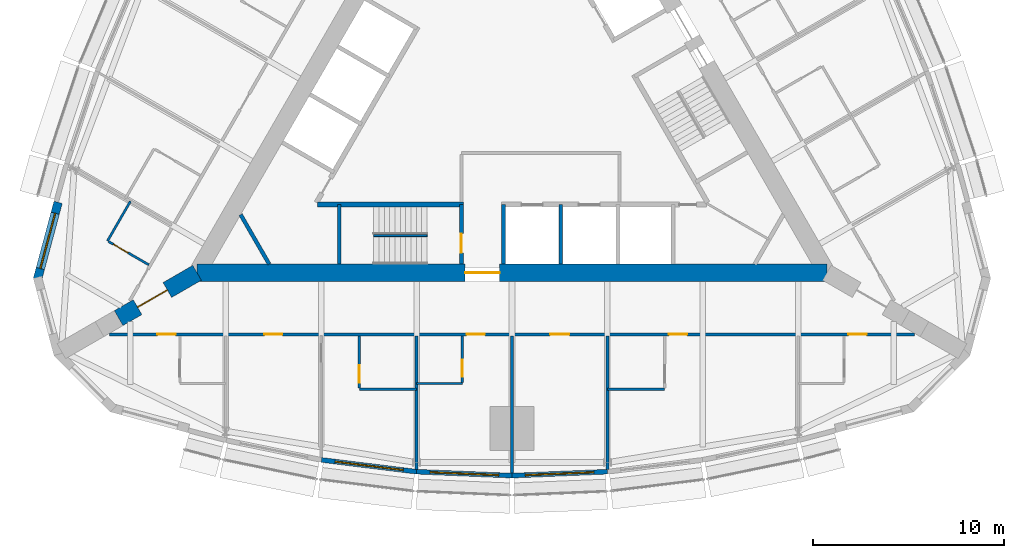
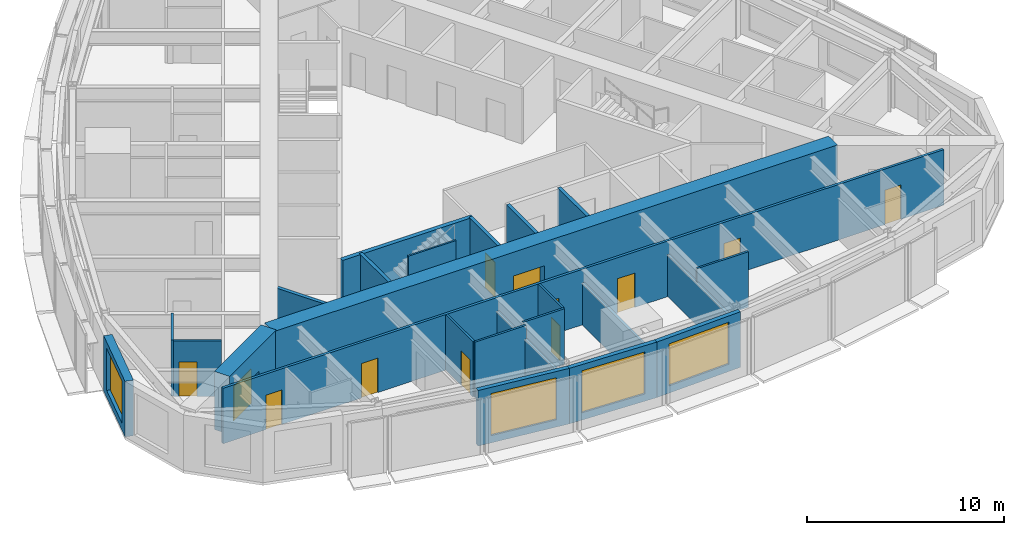
# One storey, part 9 of 15: 24 walls, 12 doors, 4 windows, 16 openings.
"""IFC4 building model written with IfcOpenShell, lengths in metres."""

import ifcopenshell
import ifcopenshell.guid

model = None  # the IFC model being written
_history = None  # IfcOwnerHistory: only IFC2X3 demands one
_inside = {}  # id of a spatial element -> (the spatial element, [elements in it])
_under = {}  # id of a project, library or spatial element -> (it, [spatial elements below it])
_declared = {}  # id of a project -> (the project, [libraries it declares])
_typed = {}  # id of a type object -> (the type object, [elements of that type])
_made_of = {}  # id of a material, layer set ... -> (it, [elements and type objects made of it])


def new_model(schema):
    """Start an empty IFC model of exactly this schema.

    Asked for "IFC4X3", IfcOpenShell would pick the latest addendum, in which some entities
    have other attributes; the version numbers below select the first issue.
    IFC2X3 requires an IfcOwnerHistory on every rooted entity: one is made here for all.
    """
    global model, _history
    if schema == "IFC4X3":
        model = ifcopenshell.file(schema_version=(4, 3, 0, 0))
    else:
        model = ifcopenshell.file(schema=schema)
    _inside.clear()
    _under.clear()
    _declared.clear()
    _typed.clear()
    _made_of.clear()
    _history = None
    if model.schema == "IFC2X3":
        org = make("IfcOrganization", Name="unknown")
        user = make(
            "IfcPersonAndOrganization",
            ThePerson=make("IfcPerson", FamilyName="unknown"),
            TheOrganization=org,
        )
        app = make(
            "IfcApplication",
            ApplicationDeveloper=org,
            Version="unknown",
            ApplicationFullName="unknown",
            ApplicationIdentifier="unknown",
        )
        _history = make(
            "IfcOwnerHistory",
            OwningUser=user,
            OwningApplication=app,
            ChangeAction="ADDED",
            CreationDate=0,
        )
    return model


def make(cls, **values):
    """One entity of the class cls with the attributes given. An attribute that is None is left unset."""
    return model.create_entity(
        cls, **{name: value for name, value in values.items() if value is not None}
    )


def rooted(cls, **values):
    """An entity with a GlobalId (a new one), such as an element, a storey or a relation."""
    return make(cls, GlobalId=ifcopenshell.guid.new(), OwnerHistory=_history, **values)


def si_unit(unit_type, name, prefix=None):
    """IfcSIUnit, for example si_unit("LENGTHUNIT", "METRE", prefix="MILLI")."""
    return make("IfcSIUnit", UnitType=unit_type, Prefix=prefix, Name=name)


def assignment(units):
    """IfcUnitAssignment: the units of a project."""
    return None if units is None else make("IfcUnitAssignment", Units=units)


def point(xyz):
    """IfcCartesianPoint."""
    return None if xyz is None else make("IfcCartesianPoint", Coordinates=xyz)


def direction(xyz):
    """IfcDirection."""
    return None if xyz is None else make("IfcDirection", DirectionRatios=xyz)


def frame(location, z_axis=None, x_axis=None):
    """IfcAxis2Placement3D, a coordinate frame: its origin and axes. An axis left out is left unset."""
    return make(
        "IfcAxis2Placement3D",
        Location=point(location),
        Axis=direction(z_axis),
        RefDirection=direction(x_axis),
    )


def frame_2d(location, x_axis=None):
    """IfcAxis2Placement2D, a coordinate frame in the plane: its origin and x axis."""
    return make(
        "IfcAxis2Placement2D", Location=point(location), RefDirection=direction(x_axis)
    )


def origin():
    """The frame at (0, 0, 0) with its axes left unset."""
    return frame((0.0, 0.0, 0.0))


def place(relative_to, where):
    """IfcLocalPlacement: puts the frame where relative to a parent placement (None: the world)."""
    return make(
        "IfcLocalPlacement", PlacementRelTo=relative_to, RelativePlacement=where
    )


def context(
    kind, dimensions, precision=None, world=None, true_north=None, identifier=None
):
    """IfcGeometricRepresentationContext, for example the 3D "Model" context."""
    return make(
        "IfcGeometricRepresentationContext",
        ContextIdentifier=identifier,
        ContextType=kind,
        CoordinateSpaceDimension=dimensions,
        Precision=precision,
        WorldCoordinateSystem=world,
        TrueNorth=true_north,
    )


def subcontext(parent, identifier, kind, view, scale=None):
    """IfcGeometricRepresentationSubContext, for example "Body" below "Model"."""
    return make(
        "IfcGeometricRepresentationSubContext",
        ContextIdentifier=identifier,
        ContextType=kind,
        ParentContext=parent,
        TargetScale=scale,
        TargetView=view,
    )


def project(units=None, contexts=None):
    """IfcProject with its units and contexts."""
    return rooted(
        "IfcProject",
        Name="project",
        RepresentationContexts=contexts,
        UnitsInContext=assignment(units),
    )


def spatial(cls, under=None, at=None, **own):
    """A site, building, storey or space (cls), placed at a placement, below another one or the project."""
    s = rooted(cls, ObjectPlacement=at, **own)
    if under is not None:
        _under.setdefault(under.id(), (under, []))[1].append(s)
    return s


def profile(cls, at=None, kind="AREA", **sizes):
    """A parametric profile (cls). Its sizes go by their IFC names, for example OverallWidth=200.0."""
    return make(cls, ProfileType=kind, Position=at, **sizes)


def rectangle(**sizes):
    """IfcRectangleProfileDef."""
    return profile("IfcRectangleProfileDef", **sizes)


def extrude(swept, where, along, depth):
    """IfcExtrudedAreaSolid: the profile swept, set in the frame where, extruded along a direction by depth."""
    return make(
        "IfcExtrudedAreaSolid",
        SweptArea=swept,
        Position=where,
        ExtrudedDirection=direction(along),
        Depth=depth,
    )


def shape(context_of_items, identifier, shape_type, items):
    """IfcShapeRepresentation: the items that make up one representation, for example the "Body"."""
    return make(
        "IfcShapeRepresentation",
        ContextOfItems=context_of_items,
        RepresentationIdentifier=identifier,
        RepresentationType=shape_type,
        Items=items,
    )


def material(Name=None, Category=None):
    """IfcMaterial."""
    return make("IfcMaterial", Name=Name, Category=Category)


def layer(
    of_material, thickness, ventilated=None, Name=None, Category=None, Priority=None
):
    """IfcMaterialLayer: one layer of a wall or slab, of a material (None: an air gap)."""
    return make(
        "IfcMaterialLayer",
        Material=of_material,
        LayerThickness=thickness,
        IsVentilated=ventilated,
        Name=Name,
        Category=Category,
        Priority=Priority,
    )


def layer_set(layers, Name=None):
    """IfcMaterialLayerSet."""
    return make("IfcMaterialLayerSet", MaterialLayers=layers, LayerSetName=Name)


def made_of(thing, what):
    """Note that an element or type object is made of a material, layer set ...; save() writes the relation."""
    if what is not None:
        _made_of.setdefault(what.id(), (what, []))[1].append(thing)
    return thing


def type_object(cls, material=None, **own):
    """A type object (cls), such as IfcWallType, which elements share."""
    return made_of(rooted(cls, **own), material)


def element(
    cls,
    number,
    at=None,
    inside=None,
    cuts=None,
    type_object=None,
    material=None,
    context=None,
    identifier="Body",
    shape_type=None,
    held_by="IfcProductDefinitionShape",
    body=None,
    shapes=None,
    **own,
):
    """One element of the class cls, such as IfcWall. Its Tag is "e" and its number.

    at: its placement. inside: the storey or other place that contains it. cuts: it is an
    opening in that element (IfcRelVoidsElement). A single representation is given by context,
    identifier, shape_type and body (its items); several are given by shapes. held_by: the class
    of the entity that holds the representations. save() writes the other relations.
    """
    e = rooted(cls, Tag="e%d" % number, ObjectPlacement=at, **own)
    if body is not None:
        shapes = [shape(context, identifier, shape_type, body)]
    if shapes is not None:
        e.Representation = make(held_by, Representations=shapes)
    if inside is not None:
        _inside.setdefault(inside.id(), (inside, []))[1].append(e)
    if cuts is not None:
        rooted(
            "IfcRelVoidsElement", RelatingBuildingElement=cuts, RelatedOpeningElement=e
        )
    if type_object is not None:
        _typed.setdefault(type_object.id(), (type_object, []))[1].append(e)
    return made_of(e, material)


def fill(opening, filler):
    """IfcRelFillsElement: the door or window that sits in an opening."""
    return rooted(
        "IfcRelFillsElement",
        RelatingOpeningElement=opening,
        RelatedBuildingElement=filler,
    )


def aggregate(whole, parts):
    """IfcRelAggregates: a whole, such as a stair, and the parts it consists of."""
    return rooted("IfcRelAggregates", RelatingObject=whole, RelatedObjects=parts)


def save(model, path):
    """Write the relations noted so far, then the file.

    IfcRelAggregates (storeys below a building ...), IfcRelContainedInSpatialStructure (elements
    in a storey), IfcRelDefinesByType, IfcRelAssociatesMaterial and IfcRelDeclares: one each for
    every whole, place, type object, material and project.
    """
    for whole, parts in _under.values():
        aggregate(whole, parts)
    for where, things in _inside.values():
        rooted(
            "IfcRelContainedInSpatialStructure",
            RelatedElements=things,
            RelatingStructure=where,
        )
    for kind, things in _typed.values():
        rooted("IfcRelDefinesByType", RelatedObjects=things, RelatingType=kind)
    for what, things in _made_of.values():
        rooted("IfcRelAssociatesMaterial", RelatedObjects=things, RelatingMaterial=what)
    for by, libraries in _declared.values():
        rooted("IfcRelDeclares", RelatingContext=by, RelatedDefinitions=libraries)
    model.write(path)


model = new_model("IFC4")

# Units and contexts
model_context = context("Model", 3, precision=1e-05, world=origin(), true_north=direction((0.0, 1.0)))
body_context = subcontext(model_context, "Body", "Model", "MODEL_VIEW")
ifc_project = project(units=[si_unit("LENGTHUNIT", "METRE"), si_unit("AREAUNIT", "SQUARE_METRE"), si_unit("VOLUMEUNIT", "CUBIC_METRE"), si_unit("PLANEANGLEUNIT", "RADIAN"), si_unit("MASSUNIT", "GRAM", prefix="KILO")], contexts=[model_context])

# Site, building, storey
site_placement = place(None, origin())
site = spatial("IfcSite", under=ifc_project, at=site_placement, CompositionType="ELEMENT")
building_placement = place(site_placement, origin())
building = spatial("IfcBuilding", under=site, at=building_placement, Name="Trikona Tower", CompositionType="ELEMENT")
storey_placement = place(building_placement, frame((0.0, 0.0, 200.89990234375)))
storey = spatial("IfcBuildingStorey", under=building, at=storey_placement, Name="L53", CompositionType="ELEMENT", Elevation=200.89990234375)

# Wall
ifc_material_1 = material(Name="Metal stud and cement board", Category="gypsum")
ifc_layer_1 = layer(ifc_material_1, 0.1201171875)
ifc_layer_set_1 = layer_set([ifc_layer_1], Name="Bathroom wall 120")
wall_type_1 = type_object("IfcWallType", Name="Bathroom wall 120", PredefinedType="PLUMBINGWALL", material=ifc_layer_set_1)
wall_1_placement = place(storey_placement, frame((-8.0, -15.626220703125, 0.0), z_axis=(0.0, 0.0, 1.0), x_axis=(1.0, 0.0, 0.0)))
element("IfcWall", 1, at=wall_1_placement, inside=storey, type_object=wall_type_1, Name="Bathroom wall 5302.1", PredefinedType="PLUMBINGWALL", context=body_context, shape_type="SweptSolid", body=[
    extrude(rectangle(XDim=3.0, YDim=0.1201171875, at=frame_2d((1.5, 0.0))), origin(), (0.0, 0.0, 1.0), 3.43505859375),
])

# Wall, opening, door
wall_2_placement = place(storey_placement, frame((-8.0, -12.826416015625, 0.0), z_axis=(0.0, 0.0, 1.0), x_axis=(0.0, -1.0, 0.0)))
wall_2 = element("IfcWall", 2, at=wall_2_placement, inside=storey, type_object=wall_type_1, Name="Bathroom wall 5302.1", PredefinedType="PLUMBINGWALL", context=body_context, shape_type="SweptSolid", body=[
    extrude(rectangle(XDim=2.739990234375, YDim=0.1201171875, at=frame_2d((1.3701171875, 0.0))), origin(), (0.0, 0.0, 1.0), 3.43505859375),
])
opening_1_placement = place(wall_2_placement, frame((1.550048828125, 0.0, 0.0)))
opening_1 = element("IfcOpeningElement", 3, at=opening_1_placement, cuts=wall_2, Name="Opening D2", PredefinedType="OPENING", context=body_context, shape_type="SweptSolid", body=[
    extrude(rectangle(XDim=0.89990234375, YDim=2.1298828125, at=frame_2d((0.449951171875, 1.06494140625))), frame((0.0, 0.070068359375, 0.0), z_axis=(0.0, -1.0, 0.0), x_axis=(1.0, 0.0, 0.0)), (0.0, 0.0, 1.0), 0.14013671875),
])
ifc_material_2 = material(Name="Steel door frame with solid-core timber leaf", Category="steel")
door_type_1 = type_object("IfcDoorType", Name="Bathroom door 900x2130", OperationType="SLIDING_TO_LEFT", PredefinedType="DOOR", material=ifc_material_2)
door_1_placement = place(opening_1_placement, origin())
door_1 = element("IfcDoor", 4, at=door_1_placement, inside=storey, type_object=door_type_1, Name="Bathroom door 5302.1", OperationType="SLIDING_TO_LEFT", OverallHeight=2.1298828125, OverallWidth=0.89990234375, PredefinedType="DOOR", context=body_context, shape_type="SweptSolid", body=[
    extrude(rectangle(XDim=0.89990234375, YDim=2.1298828125, at=frame_2d((0.449951171875, 1.06494140625))), frame((0.0, 0.02490234375, 0.0), z_axis=(0.0, -1.0, 0.0), x_axis=(1.0, 0.0, 0.0)), (0.0, 0.0, 1.0), 0.050048828125),
])
fill(opening_1, door_1)

# Wall
wall_3_placement = place(storey_placement, frame((-5.0, -15.326416015625, 0.0), z_axis=(0.0, 0.0, 1.0), x_axis=(1.0, 0.0, 0.0)))
element("IfcWall", 5, at=wall_3_placement, inside=storey, type_object=wall_type_1, Name="Bathroom wall 5303", PredefinedType="PLUMBINGWALL", context=body_context, shape_type="SweptSolid", body=[
    extrude(rectangle(XDim=2.39990234375, YDim=0.1201171875, at=frame_2d((1.199951171875, 0.0))), origin(), (0.0, 0.0, 1.0), 3.43505859375),
])

# Wall, opening, door
wall_4_placement = place(storey_placement, frame((-2.60009765625, -12.826416015625, 0.0), z_axis=(0.0, 0.0, 1.0), x_axis=(0.0, -1.0, 0.0)))
wall_4 = element("IfcWall", 6, at=wall_4_placement, inside=storey, type_object=wall_type_1, Name="Bathroom wall 5303", PredefinedType="PLUMBINGWALL", context=body_context, shape_type="SweptSolid", body=[
    extrude(rectangle(XDim=2.43994140625, YDim=0.1201171875, at=frame_2d((1.219970703125, 0.0))), origin(), (0.0, 0.0, 1.0), 3.43505859375),
])
opening_2_placement = place(wall_4_placement, frame((1.25, 0.0, 0.0)))
opening_2 = element("IfcOpeningElement", 7, at=opening_2_placement, cuts=wall_4, Name="Opening D2", PredefinedType="OPENING", context=body_context, shape_type="SweptSolid", body=[
    extrude(rectangle(XDim=0.89990234375, YDim=2.1298828125, at=frame_2d((0.449951171875, 1.06494140625))), frame((0.0, 0.070068359375, 0.0), z_axis=(0.0, -1.0, 0.0), x_axis=(1.0, 0.0, 0.0)), (0.0, 0.0, 1.0), 0.14013671875),
])
door_2_placement = place(opening_2_placement, origin())
door_2 = element("IfcDoor", 8, at=door_2_placement, inside=storey, type_object=door_type_1, Name="Bathroom door 5303", OperationType="SLIDING_TO_LEFT", OverallHeight=2.1298828125, OverallWidth=0.89990234375, PredefinedType="DOOR", context=body_context, shape_type="SweptSolid", body=[
    extrude(rectangle(XDim=0.89990234375, YDim=2.1298828125, at=frame_2d((0.449951171875, 1.06494140625))), frame((0.0, 0.02490234375, 0.0), z_axis=(0.0, -1.0, 0.0), x_axis=(1.0, 0.0, 0.0)), (0.0, 0.0, 1.0), 0.050048828125),
])
fill(opening_2, door_2)

# Walls
wall_5_placement = place(storey_placement, frame((5.0, -15.626220703125, 0.0), z_axis=(0.0, 0.0, 1.0), x_axis=(1.0, 0.0, 0.0)))
element("IfcWall", 9, at=wall_5_placement, inside=storey, type_object=wall_type_1, Name="Bathroom wall 5304", PredefinedType="PLUMBINGWALL", context=body_context, shape_type="SweptSolid", body=[
    extrude(rectangle(XDim=3.0, YDim=0.1201171875, at=frame_2d((1.5, 0.0))), origin(), (0.0, 0.0, 1.0), 3.43505859375),
])
wall_6_placement = place(storey_placement, frame((-19.993408203125, -5.777099609375, 0.0), z_axis=(0.0, 0.0, 1.0), x_axis=(-0.500033551112, -0.866006032174, 0.0)))
element("IfcWall", 10, at=wall_6_placement, inside=storey, type_object=wall_type_1, Name="Bathroom wall 5316", PredefinedType="PLUMBINGWALL", context=body_context, shape_type="SweptSolid", body=[
    extrude(rectangle(XDim=2.400146484375, YDim=0.1201171875, at=frame_2d((1.2001953125, 0.0))), origin(), (0.0, 0.0, 1.0), 3.43505859375),
])

# Wall, opening, door
wall_7_placement = place(storey_placement, frame((-19.028564453125, -9.105712890625, 0.0), z_axis=(0.0, 0.0, 1.0), x_axis=(-0.866023955769, 0.500002508028, 0.0)))
wall_7 = element("IfcWall", 11, at=wall_7_placement, inside=storey, type_object=wall_type_1, Name="Bathroom wall 5316", PredefinedType="PLUMBINGWALL", context=body_context, shape_type="SweptSolid", body=[
    extrude(rectangle(XDim=2.43994140625, YDim=0.1201171875, at=frame_2d((1.219970703125, 0.0))), origin(), (0.0, 0.0, 1.0), 3.43505859375),
])
opening_3_placement = place(wall_7_placement, frame((1.25, 0.0, 0.0)))
opening_3 = element("IfcOpeningElement", 12, at=opening_3_placement, cuts=wall_7, Name="Opening D2", PredefinedType="OPENING", context=body_context, shape_type="SweptSolid", body=[
    extrude(rectangle(XDim=0.89990234375, YDim=2.1298828125, at=frame_2d((0.449951171875, 1.06494140625))), frame((0.0, 0.070068359375, 0.0), z_axis=(0.0, -1.0, 0.0), x_axis=(1.0, 0.0, 0.0)), (0.0, 0.0, 1.0), 0.14013671875),
])
door_3_placement = place(opening_3_placement, origin())
door_3 = element("IfcDoor", 13, at=door_3_placement, inside=storey, type_object=door_type_1, Name="Bathroom door 5316", OperationType="SLIDING_TO_LEFT", OverallHeight=2.1298828125, OverallWidth=0.89990234375, PredefinedType="DOOR", context=body_context, shape_type="SweptSolid", body=[
    extrude(rectangle(XDim=0.89990234375, YDim=2.1298828125, at=frame_2d((0.449951171875, 1.06494140625))), frame((0.0, 0.02490234375, 0.0), z_axis=(0.0, -1.0, 0.0), x_axis=(1.0, 0.0, 0.0)), (0.0, 0.0, 1.0), 0.050048828125),
])
fill(opening_3, door_3)

# Wall, opening, window
ifc_material_3 = material(Name="Brick-faced precast concrete", Category="masonry")
ifc_layer_2 = layer(ifc_material_3, 0.449951171875)
ifc_layer_set_2 = layer_set([ifc_layer_2], Name="Brick-faced corner wall 450")
wall_type_2 = type_object("IfcWallType", Name="Brick-faced corner wall 450", PredefinedType="SOLIDWALL", material=ifc_layer_set_2)
wall_8_placement = place(storey_placement, frame((-23.78271484375, -5.831787109375, 0.0), z_axis=(0.0, 0.0, 1.0), x_axis=(-0.258784695888, -0.965935029479, 0.0)))
wall_8 = element("IfcWall", 14, at=wall_8_placement, inside=storey, type_object=wall_type_2, Name="External wall L53-32", PredefinedType="SOLIDWALL", context=body_context, shape_type="SweptSolid", body=[
    extrude(rectangle(XDim=4.18408203125, YDim=0.449951171875, at=frame_2d((2.092041015625, 0.0))), origin(), (0.0, 0.0, 1.0), 3.43505859375),
])
opening_4_placement = place(wall_8_placement, frame((0.592041015625, 0.0, 0.449951171875)))
opening_4 = element("IfcOpeningElement", 15, at=opening_4_placement, cuts=wall_8, Name="Opening W3026", PredefinedType="OPENING", context=body_context, shape_type="SweptSolid", body=[
    extrude(rectangle(XDim=3.0, YDim=2.60009765625, at=frame_2d((1.5, 1.300048828125))), frame((0.0, 0.23486328125, 0.0), z_axis=(0.0, -1.0, 0.0), x_axis=(1.0, 0.0, 0.0)), (0.0, 0.0, 1.0), 0.469970703125),
])
ifc_material_4 = material(Name="Aluminium-framed double glazing", Category="aluminium")
window_type_1 = type_object("IfcWindowType", Name="Window 3000x2600", PartitioningType="SINGLE_PANEL", PredefinedType="WINDOW", material=ifc_material_4)
window_1_placement = place(opening_4_placement, origin())
window_1 = element("IfcWindow", 16, at=window_1_placement, inside=storey, type_object=window_type_1, Name="Window 5316", OverallHeight=2.60009765625, OverallWidth=3.0, PartitioningType="SINGLE_PANEL", PredefinedType="WINDOW", context=body_context, shape_type="SweptSolid", body=[
    extrude(rectangle(XDim=3.0, YDim=2.60009765625, at=frame_2d((1.5, 1.300048828125))), frame((0.0, 0.030029296875, 0.0), z_axis=(0.0, -1.0, 0.0), x_axis=(1.0, 0.0, 0.0)), (0.0, 0.0, 1.0), 0.06005859375),
])
fill(opening_4, window_1)

# Wall, opening, door
ifc_material_5 = material(Name="Concrete f'c 10000 psi", Category="concrete")
ifc_layer_3 = layer(ifc_material_5, 0.89990234375)
ifc_layer_set_3 = layer_set([ifc_layer_3], Name="Buttress wall 900")
wall_type_3 = type_object("IfcWallType", Name="Buttress wall 900", PredefinedType="SHEAR", material=ifc_layer_set_3)
wall_9_placement = place(storey_placement, frame((-16.5, -9.5263671875, 0.0), z_axis=(0.0, 0.0, 1.0), x_axis=(-0.866031398331, -0.499989616998, 0.0)))
wall_9 = element("IfcWall", 17, at=wall_9_placement, inside=storey, type_object=wall_type_3, Name="Buttress wall 3", PredefinedType="SHEAR", context=body_context, shape_type="SweptSolid", body=[
    extrude(rectangle(XDim=4.74609375, YDim=0.89990234375, at=frame_2d((2.373046875, 0.0))), origin(), (0.0, 0.0, 1.0), 3.60009765625),
])
opening_5_placement = place(wall_9_placement, frame((1.800048828125, 0.0, 0.0)))
opening_5 = element("IfcOpeningElement", 18, at=opening_5_placement, cuts=wall_9, Name="Opening D10", PredefinedType="OPENING", context=body_context, shape_type="SweptSolid", body=[
    extrude(rectangle(XDim=1.800048828125, YDim=2.1298828125, at=frame_2d((0.89990234375, 1.06494140625))), frame((0.0, 0.4599609375, 0.0), z_axis=(0.0, -1.0, 0.0), x_axis=(1.0, 0.0, 0.0)), (0.0, 0.0, 1.0), 0.919921875),
])
ifc_material_6 = material(Name="Hollow metal door and frame", Category="steel")
door_type_2 = type_object("IfcDoorType", Name="Cross-corridor door pair 1800x2130", OperationType="DOUBLE_DOOR_DOUBLE_SWING", PredefinedType="DOOR", material=ifc_material_6)
door_4_placement = place(opening_5_placement, origin())
door_4 = element("IfcDoor", 19, at=door_4_placement, inside=storey, type_object=door_type_2, Name="Cross-corridor door 3", OperationType="DOUBLE_DOOR_DOUBLE_SWING", OverallHeight=2.1298828125, OverallWidth=1.800048828125, PredefinedType="DOOR", context=body_context, shape_type="SweptSolid", body=[
    extrude(rectangle(XDim=1.800048828125, YDim=2.1298828125, at=frame_2d((0.89990234375, 1.06494140625))), frame((0.0, 0.02490234375, 0.0), z_axis=(0.0, -1.0, 0.0), x_axis=(1.0, 0.0, 0.0)), (0.0, 0.0, 1.0), 0.050048828125),
])
fill(opening_5, door_4)

ifc_material_7 = material(Name="Concrete f'c 10000 psi", Category="concrete")
ifc_layer_4 = layer(ifc_material_7, 0.89990234375)
ifc_layer_set_4 = layer_set([ifc_layer_4], Name="Core wall 900")
wall_type_4 = type_object("IfcWallType", Name="Core wall 900", PredefinedType="SHEAR", material=ifc_layer_set_4)
wall_10_placement = place(storey_placement, frame((-16.5, -9.5263671875, 0.0), z_axis=(0.0, 0.0, 1.0), x_axis=(1.0, 0.0, 0.0)))
wall_10 = element("IfcWall", 20, at=wall_10_placement, inside=storey, type_object=wall_type_4, Name="Core wall A", PredefinedType="SHEAR", context=body_context, shape_type="SweptSolid", body=[
    extrude(rectangle(XDim=33.0, YDim=0.89990234375, at=frame_2d((16.5, 0.0))), origin(), (0.0, 0.0, 1.0), 3.60009765625),
])
opening_6_placement = place(wall_10_placement, frame((14.050048828125, 0.0, 0.0)))
opening_6 = element("IfcOpeningElement", 21, at=opening_6_placement, cuts=wall_10, Name="Opening D6", PredefinedType="OPENING", context=body_context, shape_type="SweptSolid", body=[
    extrude(rectangle(XDim=1.800048828125, YDim=2.1298828125, at=frame_2d((0.89990234375, 1.06494140625))), frame((0.0, 0.4599609375, 0.0), z_axis=(0.0, -1.0, 0.0), x_axis=(1.0, 0.0, 0.0)), (0.0, 0.0, 1.0), 0.919921875),
])
ifc_material_8 = material(Name="Hollow metal door and frame", Category="steel")
door_type_3 = type_object("IfcDoorType", Name="Lobby door pair 1800x2130", OperationType="DOUBLE_DOOR_SINGLE_SWING", PredefinedType="DOOR", material=ifc_material_8)
door_5_placement = place(opening_6_placement, origin())
door_5 = element("IfcDoor", 22, at=door_5_placement, inside=storey, type_object=door_type_3, Name="Fire service lift lobby door", OperationType="DOUBLE_DOOR_SINGLE_SWING", OverallHeight=2.1298828125, OverallWidth=1.800048828125, PredefinedType="DOOR", context=body_context, shape_type="SweptSolid", body=[
    extrude(rectangle(XDim=1.800048828125, YDim=2.1298828125, at=frame_2d((0.89990234375, 1.06494140625))), frame((0.0, 0.02490234375, 0.0), z_axis=(0.0, -1.0, 0.0), x_axis=(1.0, 0.0, 0.0)), (0.0, 0.0, 1.0), 0.050048828125),
])
fill(opening_6, door_5)

# Wall, openings, doors
ifc_material_9 = material(Name="Metal stud and gypsum board, 1-hour", Category="gypsum")
ifc_layer_5 = layer(ifc_material_9, 0.14990234375)
ifc_layer_set_5 = layer_set([ifc_layer_5], Name="Corridor wall 150")
wall_type_5 = type_object("IfcWallType", Name="Corridor wall 150", PredefinedType="PARTITIONING", material=ifc_layer_set_5)
wall_11_placement = place(storey_placement, frame((-21.0859375, -12.751220703125, 0.0), z_axis=(0.0, 0.0, 1.0), x_axis=(1.0, 0.0, 0.0)))
wall_11 = element("IfcWall", 23, at=wall_11_placement, inside=storey, type_object=wall_type_5, Name="Corridor wall L53-1", PredefinedType="PARTITIONING", context=body_context, shape_type="SweptSolid", body=[
    extrude(rectangle(XDim=42.171875, YDim=0.14990234375, at=frame_2d((21.0859375, 0.0))), origin(), (0.0, 0.0, 1.0), 3.43505859375),
])
opening_7_placement = place(wall_11_placement, frame((2.510986328125, 0.0, 0.0)))
opening_7 = element("IfcOpeningElement", 24, at=opening_7_placement, cuts=wall_11, Name="Opening D1", PredefinedType="OPENING", context=body_context, shape_type="SweptSolid", body=[
    extrude(rectangle(XDim=0.949951171875, YDim=2.1298828125, at=frame_2d((0.47509765625, 1.06494140625))), frame((0.0, 0.0849609375, 0.0), z_axis=(0.0, -1.0, 0.0), x_axis=(1.0, 0.0, 0.0)), (0.0, 0.0, 1.0), 0.169921875),
])
opening_8_placement = place(wall_11_placement, frame((8.11083984375, 0.0, 0.0)))
opening_8 = element("IfcOpeningElement", 25, at=opening_8_placement, cuts=wall_11, Name="Opening D1", PredefinedType="OPENING", context=body_context, shape_type="SweptSolid", body=[
    extrude(rectangle(XDim=0.949951171875, YDim=2.1298828125, at=frame_2d((0.47509765625, 1.06494140625))), frame((0.0, 0.0849609375, 0.0), z_axis=(0.0, -1.0, 0.0), x_axis=(1.0, 0.0, 0.0)), (0.0, 0.0, 1.0), 0.169921875),
])
opening_9_placement = place(wall_11_placement, frame((18.7109375, 0.0, 0.0)))
opening_9 = element("IfcOpeningElement", 26, at=opening_9_placement, cuts=wall_11, Name="Opening D1", PredefinedType="OPENING", context=body_context, shape_type="SweptSolid", body=[
    extrude(rectangle(XDim=0.949951171875, YDim=2.1298828125, at=frame_2d((0.47509765625, 1.06494140625))), frame((0.0, 0.0849609375, 0.0), z_axis=(0.0, -1.0, 0.0), x_axis=(1.0, 0.0, 0.0)), (0.0, 0.0, 1.0), 0.169921875),
])
opening_10_placement = place(wall_11_placement, frame((23.0859375, 0.0, 0.0)))
opening_10 = element("IfcOpeningElement", 27, at=opening_10_placement, cuts=wall_11, Name="Opening D3", PredefinedType="OPENING", context=body_context, shape_type="SweptSolid", body=[
    extrude(rectangle(XDim=1.0, YDim=2.1298828125, at=frame_2d((0.5, 1.06494140625))), frame((0.0, 0.0849609375, 0.0), z_axis=(0.0, -1.0, 0.0), x_axis=(1.0, 0.0, 0.0)), (0.0, 0.0, 1.0), 0.169921875),
])
opening_11_placement = place(wall_11_placement, frame((29.310791015625, 0.0, 0.0)))
opening_11 = element("IfcOpeningElement", 28, at=opening_11_placement, cuts=wall_11, Name="Opening D1", PredefinedType="OPENING", context=body_context, shape_type="SweptSolid", body=[
    extrude(rectangle(XDim=0.949951171875, YDim=2.1298828125, at=frame_2d((0.47509765625, 1.06494140625))), frame((0.0, 0.0849609375, 0.0), z_axis=(0.0, -1.0, 0.0), x_axis=(1.0, 0.0, 0.0)), (0.0, 0.0, 1.0), 0.169921875),
])
opening_12_placement = place(wall_11_placement, frame((38.7109375, 0.0, 0.0)))
opening_12 = element("IfcOpeningElement", 29, at=opening_12_placement, cuts=wall_11, Name="Opening D1", PredefinedType="OPENING", context=body_context, shape_type="SweptSolid", body=[
    extrude(rectangle(XDim=0.949951171875, YDim=2.1298828125, at=frame_2d((0.47509765625, 1.06494140625))), frame((0.0, 0.0849609375, 0.0), z_axis=(0.0, -1.0, 0.0), x_axis=(1.0, 0.0, 0.0)), (0.0, 0.0, 1.0), 0.169921875),
])
ifc_material_10 = material(Name="Steel door frame with solid-core timber leaf", Category="steel")
door_type_4 = type_object("IfcDoorType", Name="Guest room door 950x2130", OperationType="SINGLE_SWING_LEFT", PredefinedType="DOOR", material=ifc_material_10)
door_6_placement = place(opening_7_placement, origin())
door_6 = element("IfcDoor", 30, at=door_6_placement, inside=storey, type_object=door_type_4, Name="Room door 5301", OperationType="SINGLE_SWING_LEFT", OverallHeight=2.1298828125, OverallWidth=0.949951171875, PredefinedType="DOOR", context=body_context, shape_type="SweptSolid", body=[
    extrude(rectangle(XDim=0.949951171875, YDim=2.1298828125, at=frame_2d((0.47509765625, 1.06494140625))), frame((0.0, 0.02490234375, 0.0), z_axis=(0.0, -1.0, 0.0), x_axis=(1.0, 0.0, 0.0)), (0.0, 0.0, 1.0), 0.050048828125),
])
fill(opening_7, door_6)
door_7_placement = place(opening_8_placement, origin())
door_7 = element("IfcDoor", 31, at=door_7_placement, inside=storey, type_object=door_type_4, Name="Room door 5302", OperationType="SINGLE_SWING_RIGHT", OverallHeight=2.1298828125, OverallWidth=0.949951171875, PredefinedType="DOOR", context=body_context, shape_type="SweptSolid", body=[
    extrude(rectangle(XDim=0.949951171875, YDim=2.1298828125, at=frame_2d((0.47509765625, 1.06494140625))), frame((0.0, 0.02490234375, 0.0), z_axis=(0.0, -1.0, 0.0), x_axis=(1.0, 0.0, 0.0)), (0.0, 0.0, 1.0), 0.050048828125),
])
fill(opening_8, door_7)
door_8_placement = place(opening_9_placement, origin())
door_8 = element("IfcDoor", 32, at=door_8_placement, inside=storey, type_object=door_type_4, Name="Room door 5303", OperationType="SINGLE_SWING_LEFT", OverallHeight=2.1298828125, OverallWidth=0.949951171875, PredefinedType="DOOR", context=body_context, shape_type="SweptSolid", body=[
    extrude(rectangle(XDim=0.949951171875, YDim=2.1298828125, at=frame_2d((0.47509765625, 1.06494140625))), frame((0.0, 0.02490234375, 0.0), z_axis=(0.0, -1.0, 0.0), x_axis=(1.0, 0.0, 0.0)), (0.0, 0.0, 1.0), 0.050048828125),
])
fill(opening_9, door_8)
door_9_placement = place(opening_11_placement, origin())
door_9 = element("IfcDoor", 33, at=door_9_placement, inside=storey, type_object=door_type_4, Name="Room door 5304", OperationType="SINGLE_SWING_LEFT", OverallHeight=2.1298828125, OverallWidth=0.949951171875, PredefinedType="DOOR", context=body_context, shape_type="SweptSolid", body=[
    extrude(rectangle(XDim=0.949951171875, YDim=2.1298828125, at=frame_2d((0.47509765625, 1.06494140625))), frame((0.0, 0.02490234375, 0.0), z_axis=(0.0, -1.0, 0.0), x_axis=(1.0, 0.0, 0.0)), (0.0, 0.0, 1.0), 0.050048828125),
])
fill(opening_11, door_9)
door_10_placement = place(opening_12_placement, origin())
door_10 = element("IfcDoor", 34, at=door_10_placement, inside=storey, type_object=door_type_4, Name="Room door 5305", OperationType="SINGLE_SWING_RIGHT", OverallHeight=2.1298828125, OverallWidth=0.949951171875, PredefinedType="DOOR", context=body_context, shape_type="SweptSolid", body=[
    extrude(rectangle(XDim=0.949951171875, YDim=2.1298828125, at=frame_2d((0.47509765625, 1.06494140625))), frame((0.0, 0.02490234375, 0.0), z_axis=(0.0, -1.0, 0.0), x_axis=(1.0, 0.0, 0.0)), (0.0, 0.0, 1.0), 0.050048828125),
])
fill(opening_12, door_10)
ifc_material_11 = material(Name="Steel door frame with solid-core timber leaf", Category="steel")
door_type_5 = type_object("IfcDoorType", Name="Room door 1000x2130", OperationType="SINGLE_SWING_LEFT", PredefinedType="DOOR", material=ifc_material_11)
door_11_placement = place(opening_10_placement, origin())
door_11 = element("IfcDoor", 35, at=door_11_placement, inside=storey, type_object=door_type_5, Name="Door Housekeeping pantry", OperationType="SINGLE_SWING_RIGHT", OverallHeight=2.1298828125, OverallWidth=1.0, PredefinedType="DOOR", context=body_context, shape_type="SweptSolid", body=[
    extrude(rectangle(XDim=1.0, YDim=2.1298828125, at=frame_2d((0.5, 1.06494140625))), frame((0.0, 0.02490234375, 0.0), z_axis=(0.0, -1.0, 0.0), x_axis=(1.0, 0.0, 0.0)), (0.0, 0.0, 1.0), 0.050048828125),
])
fill(opening_10, door_11)

# Wall
ifc_material_12 = material(Name="Concrete f'c 8000 psi", Category="concrete")
ifc_layer_6 = layer(ifc_material_12, 0.25)
ifc_layer_set_6 = layer_set([ifc_layer_6], Name="Hub wall 250")
wall_type_6 = type_object("IfcWallType", Name="Hub wall 250", PredefinedType="SOLIDWALL", material=ifc_layer_set_6)
wall_12_placement = place(storey_placement, frame((-10.182861328125, -5.951416015625, 0.0), z_axis=(0.0, 0.0, 1.0), x_axis=(1.0, 0.0, 0.0)))
element("IfcWall", 36, at=wall_12_placement, inside=storey, type_object=wall_type_6, Name="Lift lobby wall A1", PredefinedType="SOLIDWALL", context=body_context, shape_type="SweptSolid", body=[
    extrude(rectangle(XDim=7.6328125, YDim=0.25, at=frame_2d((3.81640625, 0.0))), origin(), (0.0, 0.0, 1.0), 3.43505859375),
])

# Wall, opening, window
ifc_material_13 = material(Name="Insulated precast concrete spandrel panel", Category="concrete")
ifc_layer_7 = layer(ifc_material_13, 0.25)
ifc_layer_set_7 = layer_set([ifc_layer_7], Name="Inner skin wall 250")
wall_type_7 = type_object("IfcWallType", Name="Inner skin wall 250", PredefinedType="STANDARD", material=ifc_layer_set_7)
wall_13_placement = place(storey_placement, frame((-9.984619140625, -19.330078125, 0.0), z_axis=(0.0, 0.0, 1.0), x_axis=(0.992449874964, -0.12265090984, 0.0)))
wall_13 = element("IfcWall", 37, at=wall_13_placement, inside=storey, type_object=wall_type_7, Name="External wall L53-02", PredefinedType="STANDARD", context=body_context, shape_type="SweptSolid", body=[
    extrude(rectangle(XDim=5.0380859375, YDim=0.25, at=frame_2d((2.51904296875, 0.0))), origin(), (0.0, 0.0, 1.0), 3.43505859375),
])
opening_13_placement = place(wall_13_placement, frame((0.718994140625, 0.0, 0.449951171875)))
opening_13 = element("IfcOpeningElement", 38, at=opening_13_placement, cuts=wall_13, Name="Opening W3626", PredefinedType="OPENING", context=body_context, shape_type="SweptSolid", body=[
    extrude(rectangle(XDim=3.60009765625, YDim=2.60009765625, at=frame_2d((1.800048828125, 1.300048828125))), frame((0.0, 0.135009765625, 0.0), z_axis=(0.0, -1.0, 0.0), x_axis=(1.0, 0.0, 0.0)), (0.0, 0.0, 1.0), 0.27001953125),
])
ifc_material_14 = material(Name="Aluminium-framed double glazing", Category="aluminium")
window_type_2 = type_object("IfcWindowType", Name="Window 3600x2600", PartitioningType="SINGLE_PANEL", PredefinedType="WINDOW", material=ifc_material_14)
window_2_placement = place(opening_13_placement, origin())
window_2 = element("IfcWindow", 39, at=window_2_placement, inside=storey, type_object=window_type_2, Name="Window 5302.1", OverallHeight=2.60009765625, OverallWidth=3.60009765625, PartitioningType="SINGLE_PANEL", PredefinedType="WINDOW", context=body_context, shape_type="SweptSolid", body=[
    extrude(rectangle(XDim=3.60009765625, YDim=2.60009765625, at=frame_2d((1.800048828125, 1.300048828125))), frame((0.0, 0.030029296875, 0.0), z_axis=(0.0, -1.0, 0.0), x_axis=(1.0, 0.0, 0.0)), (0.0, 0.0, 1.0), 0.06005859375),
])
fill(opening_13, window_2)

wall_14_placement = place(storey_placement, frame((-4.994873046875, -19.947021484375, 0.0), z_axis=(0.0, 0.0, 1.0), x_axis=(0.999151909423, -0.041175986892, 0.0)))
wall_14 = element("IfcWall", 40, at=wall_14_placement, inside=storey, type_object=wall_type_7, Name="External wall L53-03", PredefinedType="STANDARD", context=body_context, shape_type="SweptSolid", body=[
    extrude(rectangle(XDim=5.004150390625, YDim=0.25, at=frame_2d((2.501953125, 0.0))), origin(), (0.0, 0.0, 1.0), 3.43505859375),
])
opening_14_placement = place(wall_14_placement, frame((0.7021484375, 0.0, 0.449951171875)))
opening_14 = element("IfcOpeningElement", 41, at=opening_14_placement, cuts=wall_14, Name="Opening W3626", PredefinedType="OPENING", context=body_context, shape_type="SweptSolid", body=[
    extrude(rectangle(XDim=3.60009765625, YDim=2.60009765625, at=frame_2d((1.800048828125, 1.300048828125))), frame((0.0, 0.135009765625, 0.0), z_axis=(0.0, -1.0, 0.0), x_axis=(1.0, 0.0, 0.0)), (0.0, 0.0, 1.0), 0.27001953125),
])
window_3_placement = place(opening_14_placement, origin())
window_3 = element("IfcWindow", 42, at=window_3_placement, inside=storey, type_object=window_type_2, Name="Window 5303", OverallHeight=2.60009765625, OverallWidth=3.60009765625, PartitioningType="SINGLE_PANEL", PredefinedType="WINDOW", context=body_context, shape_type="SweptSolid", body=[
    extrude(rectangle(XDim=3.60009765625, YDim=2.60009765625, at=frame_2d((1.800048828125, 1.300048828125))), frame((0.0, 0.030029296875, 0.0), z_axis=(0.0, -1.0, 0.0), x_axis=(1.0, 0.0, 0.0)), (0.0, 0.0, 1.0), 0.06005859375),
])
fill(opening_14, window_3)

wall_15_placement = place(storey_placement, frame((-0.005126953125, -20.153076171875, 0.0), z_axis=(0.0, 0.0, 1.0), x_axis=(0.999151909423, 0.041175986892, 0.0)))
wall_15 = element("IfcWall", 43, at=wall_15_placement, inside=storey, type_object=wall_type_7, Name="External wall L53-04", PredefinedType="STANDARD", context=body_context, shape_type="SweptSolid", body=[
    extrude(rectangle(XDim=5.004150390625, YDim=0.25, at=frame_2d((2.501953125, 0.0))), origin(), (0.0, 0.0, 1.0), 3.43505859375),
])
opening_15_placement = place(wall_15_placement, frame((0.7021484375, 0.0, 0.449951171875)))
opening_15 = element("IfcOpeningElement", 44, at=opening_15_placement, cuts=wall_15, Name="Opening W3626", PredefinedType="OPENING", context=body_context, shape_type="SweptSolid", body=[
    extrude(rectangle(XDim=3.60009765625, YDim=2.60009765625, at=frame_2d((1.800048828125, 1.300048828125))), frame((0.0, 0.135009765625, 0.0), z_axis=(0.0, -1.0, 0.0), x_axis=(1.0, 0.0, 0.0)), (0.0, 0.0, 1.0), 0.27001953125),
])
window_4_placement = place(opening_15_placement, origin())
window_4 = element("IfcWindow", 45, at=window_4_placement, inside=storey, type_object=window_type_2, Name="Window L53-HKP", OverallHeight=2.60009765625, OverallWidth=3.60009765625, PartitioningType="SINGLE_PANEL", PredefinedType="WINDOW", context=body_context, shape_type="SweptSolid", body=[
    extrude(rectangle(XDim=3.60009765625, YDim=2.60009765625, at=frame_2d((1.800048828125, 1.300048828125))), frame((0.0, 0.030029296875, 0.0), z_axis=(0.0, -1.0, 0.0), x_axis=(1.0, 0.0, 0.0)), (0.0, 0.0, 1.0), 0.06005859375),
])
fill(opening_15, window_4)

# Walls
ifc_material_15 = material(Name="Metal stud and gypsum board, 1-hour acoustic", Category="gypsum")
ifc_layer_8 = layer(ifc_material_15, 0.14990234375)
ifc_layer_set_8 = layer_set([ifc_layer_8], Name="Party wall 150")
wall_type_8 = type_object("IfcWallType", Name="Party wall 150", PredefinedType="PARTITIONING", material=ifc_layer_set_8)
wall_16_placement = place(storey_placement, frame((-5.0, -12.826416015625, 0.0), z_axis=(0.0, 0.0, 1.0), x_axis=(0.0, -1.0, 0.0)))
element("IfcWall", 46, at=wall_16_placement, inside=storey, type_object=wall_type_8, Name="Partition L53 F1 u-5", PredefinedType="PARTITIONING", context=body_context, shape_type="SweptSolid", body=[
    extrude(rectangle(XDim=6.99365234375, YDim=0.14990234375, at=frame_2d((3.496826171875, 0.0))), origin(), (0.0, 0.0, 1.0), 2.58935546875),
])
wall_17_placement = place(storey_placement, frame((0.0, -12.826416015625, 0.0), z_axis=(0.0, 0.0, 1.0), x_axis=(0.0, -1.0, 0.0)))
element("IfcWall", 47, at=wall_17_placement, inside=storey, type_object=wall_type_8, Name="Partition L53 F1 u0", PredefinedType="PARTITIONING", context=body_context, shape_type="SweptSolid", body=[
    extrude(rectangle(XDim=7.201171875, YDim=0.14990234375, at=frame_2d((3.6005859375, 0.0))), origin(), (0.0, 0.0, 1.0), 2.58935546875),
])
wall_18_placement = place(storey_placement, frame((5.0, -12.826416015625, 0.0), z_axis=(0.0, 0.0, 1.0), x_axis=(0.0, -1.0, 0.0)))
element("IfcWall", 48, at=wall_18_placement, inside=storey, type_object=wall_type_8, Name="Partition L53 F1 u5", PredefinedType="PARTITIONING", context=body_context, shape_type="SweptSolid", body=[
    extrude(rectangle(XDim=6.99365234375, YDim=0.14990234375, at=frame_2d((3.496826171875, 0.0))), origin(), (0.0, 0.0, 1.0), 2.58935546875),
])
ifc_material_16 = material(Name="Concrete f'c 8000 psi", Category="concrete")
ifc_layer_9 = layer(ifc_material_16, 0.199951171875)
ifc_layer_set_9 = layer_set([ifc_layer_9], Name="Shaft wall 200")
wall_type_9 = type_object("IfcWallType", Name="Shaft wall 200", PredefinedType="SOLIDWALL", material=ifc_layer_set_9)
for number, where, z_axis, x_axis, name in (
    (49, (-0.449951171875, -5.951416015625, 0.0), (0.0, 0.0, 1.0), (0.0, -1.0, 0.0), "Shaft wall A3"),
    (50, (2.550048828125, -5.951416015625, 0.0), (0.0, 0.0, 1.0), (0.0, -1.0, 0.0), "Shaft wall A4"),
):
    element("IfcWall", number, at=place(storey_placement, frame(where, z_axis=z_axis, x_axis=x_axis)), inside=storey, type_object=wall_type_9, Name=name, PredefinedType="SOLIDWALL", context=body_context, shape_type="SweptSolid", body=[
        extrude(rectangle(XDim=3.125, YDim=0.199951171875, at=frame_2d((1.5625, 0.0))), origin(), (0.0, 0.0, 1.0), 3.43505859375),
    ])
wall_19_placement = place(storey_placement, frame((-12.718505859375, -9.076416015625, 0.0), z_axis=(0.0, 0.0, 1.0), x_axis=(-0.499952404951, 0.866052881055, 0.0)))
element("IfcWall", 51, at=wall_19_placement, inside=storey, type_object=wall_type_9, Name="Riser wall L53-RS3", PredefinedType="SOLIDWALL", context=body_context, shape_type="SweptSolid", body=[
    extrude(rectangle(XDim=3.002197265625, YDim=0.199951171875, at=frame_2d((1.5009765625, 0.0))), origin(), (0.0, 0.0, 1.0), 3.43505859375),
])
ifc_material_17 = material(Name="Concrete f'c 8000 psi", Category="concrete")
ifc_layer_10 = layer(ifc_material_17, 0.199951171875)
ifc_layer_set_10 = layer_set([ifc_layer_10], Name="Shaft wall 200 load-bearing")
wall_type_10 = type_object("IfcWallType", Name="Shaft wall 200 load-bearing", PredefinedType="SOLIDWALL", material=ifc_layer_set_10)
wall_20_placement = place(storey_placement, frame((-9.050048828125, -5.951416015625, 0.0), z_axis=(0.0, 0.0, 1.0), x_axis=(0.0, -1.0, 0.0)))
element("IfcWall", 52, at=wall_20_placement, inside=storey, type_object=wall_type_10, Name="Shaft wall A1", PredefinedType="SOLIDWALL", context=body_context, shape_type="SweptSolid", body=[
    extrude(rectangle(XDim=3.125, YDim=0.199951171875, at=frame_2d((1.5625, 0.0))), origin(), (0.0, 0.0, 1.0), 3.43505859375),
])

# Wall, opening, door
wall_21_placement = place(storey_placement, frame((-2.64990234375, -5.951416015625, 0.0), z_axis=(0.0, 0.0, 1.0), x_axis=(0.0, -1.0, 0.0)))
wall_21 = element("IfcWall", 53, at=wall_21_placement, inside=storey, type_object=wall_type_10, Name="Shaft wall A2", PredefinedType="SOLIDWALL", context=body_context, shape_type="SweptSolid", body=[
    extrude(rectangle(XDim=3.125, YDim=0.199951171875, at=frame_2d((1.5625, 0.0))), origin(), (0.0, 0.0, 1.0), 3.43505859375),
])
opening_16_placement = place(wall_21_placement, frame((1.52490234375, 0.0, 0.0)))
opening_16 = element("IfcOpeningElement", 54, at=opening_16_placement, cuts=wall_21, Name="Opening D5", PredefinedType="OPENING", context=body_context, shape_type="SweptSolid", body=[
    extrude(rectangle(XDim=1.0, YDim=2.1298828125, at=frame_2d((0.5, 1.06494140625))), frame((0.0, 0.10986328125, 0.0), z_axis=(0.0, -1.0, 0.0), x_axis=(1.0, 0.0, 0.0)), (0.0, 0.0, 1.0), 0.219970703125),
])
ifc_material_18 = material(Name="Hollow metal door and frame", Category="steel")
door_type_6 = type_object("IfcDoorType", Name="Stair door 1000x2130", OperationType="SINGLE_SWING_LEFT", PredefinedType="DOOR", material=ifc_material_18)
door_12_placement = place(opening_16_placement, origin())
door_12 = element("IfcDoor", 55, at=door_12_placement, inside=storey, type_object=door_type_6, Name="Stair A door", OperationType="SINGLE_SWING_RIGHT", OverallHeight=2.1298828125, OverallWidth=1.0, PredefinedType="DOOR", context=body_context, shape_type="SweptSolid", body=[
    extrude(rectangle(XDim=1.0, YDim=2.1298828125, at=frame_2d((0.5, 1.06494140625))), frame((0.0, 0.02490234375, 0.0), z_axis=(0.0, -1.0, 0.0), x_axis=(1.0, 0.0, 0.0)), (0.0, 0.0, 1.0), 0.050048828125),
])
fill(opening_16, door_12)

# Wall
ifc_material_19 = material(Name="Concrete f'c 5000 psi", Category="concrete")
ifc_layer_11 = layer(ifc_material_19, 0.10009765625)
ifc_layer_set_11 = layer_set([ifc_layer_11], Name="Stair spine wall 100")
wall_type_11 = type_object("IfcWallType", Name="Stair spine wall 100", PredefinedType="SOLIDWALL", material=ifc_layer_set_11)
wall_22_placement = place(storey_placement, frame((-7.2470703125, -7.576416015625, 0.0), z_axis=(0.0, 0.0, 1.0), x_axis=(1.0, 0.0, 0.0)))
element("IfcWall", 56, at=wall_22_placement, inside=storey, type_object=wall_type_11, Name="Stair A spine wall L53", PredefinedType="SOLIDWALL", context=body_context, shape_type="SweptSolid", body=[
    extrude(rectangle(XDim=2.794189453125, YDim=0.10009765625, at=frame_2d((1.39697265625, 0.0))), origin(), (0.0, 0.0, 1.0), 3.60009765625),
])

save(model, "model.ifc")
